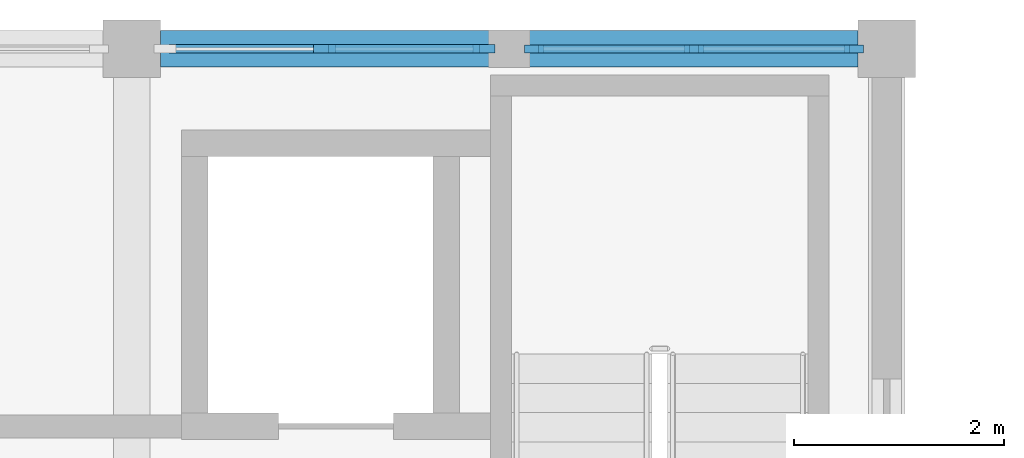
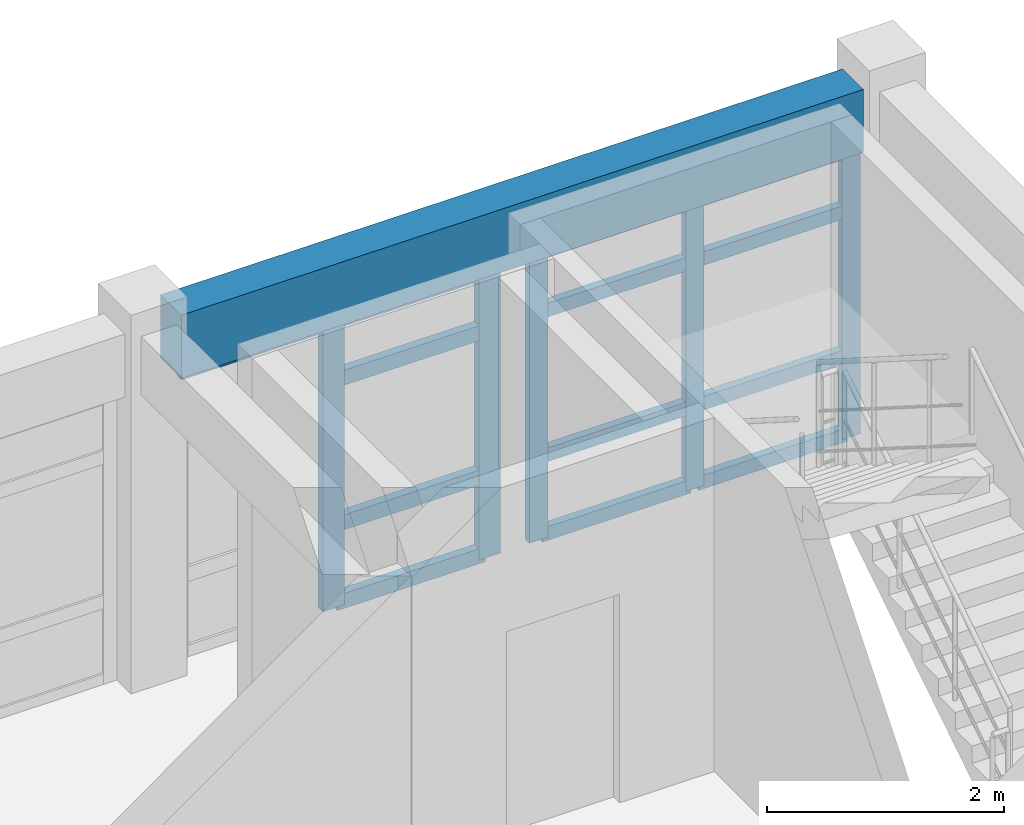
# One storey, part 8 of 22: 18 members, 1 beam, 2 elements without a shape of their own.
"""IFC4 building model written with IfcOpenShell, lengths in metres."""

from ifc_helpers import new_model, si_unit, direction, frame, origin, origin_2d, place, context, subcontext, project, spatial, rectangle, extrude, material, layer, layer_set, material_profile, profile_set, type_object, element, aggregate, save


model = new_model("IFC4")

# Units and contexts
model_context = context("Model", 3, precision=1e-05, world=origin(), true_north=direction((0.0, 1.0)))
body_context = subcontext(model_context, "Body", "Model", "MODEL_VIEW")
ifc_project = project(units=[si_unit("LENGTHUNIT", "METRE"), si_unit("AREAUNIT", "SQUARE_METRE"), si_unit("VOLUMEUNIT", "CUBIC_METRE"), si_unit("PLANEANGLEUNIT", "RADIAN"), si_unit("MASSUNIT", "GRAM", prefix="KILO")], contexts=[model_context])

# Site, building, storey
site_placement = place(None, origin())
site = spatial("IfcSite", under=ifc_project, at=site_placement, CompositionType="ELEMENT")
building_placement = place(site_placement, origin())
building = spatial("IfcBuilding", under=site, at=building_placement, Name="Koriwan Promenade Central Fire Station", CompositionType="ELEMENT")
storey_placement = place(building_placement, frame((0.0, 0.0, 17.39990234375)))
storey = spatial("IfcBuildingStorey", under=building, at=storey_placement, Name="L04", CompositionType="ELEMENT", Elevation=17.39990234375)

# Beam
ifc_material_1 = material(Name="Concrete C35/45", Category="concrete")
ifc_material_profile_1 = material_profile(ifc_material_1, rectangle(XDim=0.35009765625, YDim=0.64990234375, at=origin_2d()), Name="RC-SP-350x650")
ifc_profile_set_1 = profile_set([ifc_material_profile_1], Name="Concrete C35/45")
beam_type = type_object("IfcBeamType", Name="Beam_RC-SP-350x650", PredefinedType="SPANDREL", material=ifc_profile_set_1)
beam_placement = place(storey_placement, frame((93.875, 115.199951171875, 3.3251953125), z_axis=(1.0, 0.0, 0.0), x_axis=(0.0, 1.0, 0.0)))
element("IfcBeam", 1, at=beam_placement, inside=storey, type_object=beam_type, Name="V2 L04 girder X-184", PredefinedType="SPANDREL", context=body_context, shape_type="SweptSolid", body=[
    extrude(rectangle(XDim=0.35009765625, YDim=0.64990234375, at=origin_2d()), origin(), (0.0, 0.0, 1.0), 6.64990234375),
])

# Curtain wall, members
ifc_material_2 = material(Name="Aluminium EN AW-6063-T6 and low-E glazing", Category="aluminium")
ifc_layer_1 = layer(ifc_material_2, 0.159912109375, Name="Aluminium EN AW-6063-T6 and low-E glazing")
ifc_layer_set_1 = layer_set([ifc_layer_1], Name="Aluminium EN AW-6063-T6 and low-E glazing")
curtain_wall_type_1 = type_object("IfcCurtainWallType", Name="CurtainWall_13_312x299", PredefinedType="USERDEFINED", material=ifc_layer_set_1)
curtain_wall_1_placement = place(storey_placement, origin())
curtain_wall_1 = element("IfcCurtainWall", 2, at=curtain_wall_1_placement, inside=storey, type_object=curtain_wall_type_1, Name="V2 L04 unitised curtain wall 039", ObjectType="UNITISED CURTAIN WALL", PredefinedType="USERDEFINED")
ifc_material_3 = material(Name="Aluminium EN AW-6063-T6", Category="aluminium")
ifc_material_profile_2 = material_profile(ifc_material_3, rectangle(XDim=0.074951171875, YDim=0.179931640625, at=origin_2d()), Name="ALU-MUL-75x180")
ifc_profile_set_2 = profile_set([ifc_material_profile_2], Name="Aluminium EN AW-6063-T6")
member_type_1 = type_object("IfcMemberType", Name="CWMullion_ALU-MUL-75x180", PredefinedType="MULLION", material=ifc_profile_set_2)
member_1_placement = place(storey_placement, frame((100.487548828125, 115.199951171875, 0.0), z_axis=(0.0, 0.0, 1.0), x_axis=(0.0, -1.0, 0.0)))
member_1 = element("IfcMember", 3, at=member_1_placement, type_object=member_type_1, Name="CW-13 mullion 1", PredefinedType="MULLION", context=body_context, shape_type="SweptSolid", body=[
    extrude(rectangle(XDim=0.074951171875, YDim=0.179931640625, at=origin_2d()), origin(), (0.0, 0.0, 1.0), 2.989990234375),
])
member_2_placement = place(storey_placement, frame((98.96240234375, 115.199951171875, 0.0), z_axis=(0.0, 0.0, 1.0), x_axis=(0.0, -1.0, 0.0)))
member_2 = element("IfcMember", 4, at=member_2_placement, type_object=member_type_1, Name="CW-13 mullion 2", PredefinedType="MULLION", context=body_context, shape_type="SweptSolid", body=[
    extrude(rectangle(XDim=0.074951171875, YDim=0.179931640625, at=origin_2d()), origin(), (0.0, 0.0, 1.0), 2.989990234375),
])
member_3_placement = place(storey_placement, frame((97.4375, 115.199951171875, 0.0), z_axis=(0.0, 0.0, 1.0), x_axis=(0.0, -1.0, 0.0)))
member_3 = element("IfcMember", 5, at=member_3_placement, type_object=member_type_1, Name="CW-13 mullion 3", PredefinedType="MULLION", context=body_context, shape_type="SweptSolid", body=[
    extrude(rectangle(XDim=0.074951171875, YDim=0.179931640625, at=origin_2d()), origin(), (0.0, 0.0, 1.0), 2.989990234375),
])

ifc_layer_2 = layer(ifc_material_2, 0.159912109375, Name="Aluminium EN AW-6063-T6 and low-E glazing")
ifc_layer_set_2 = layer_set([ifc_layer_2], Name="Aluminium EN AW-6063-T6 and low-E glazing")
curtain_wall_type_2 = type_object("IfcCurtainWallType", Name="CurtainWall_14_312x299", PredefinedType="USERDEFINED", material=ifc_layer_set_2)
curtain_wall_2_placement = place(storey_placement, origin())
curtain_wall_2 = element("IfcCurtainWall", 6, at=curtain_wall_2_placement, inside=storey, type_object=curtain_wall_type_2, Name="V2 L04 unitised curtain wall 040", ObjectType="UNITISED CURTAIN WALL", PredefinedType="USERDEFINED")
ifc_material_profile_3 = material_profile(ifc_material_3, rectangle(XDim=0.080078125, YDim=0.2099609375, at=origin_2d()), Name="ALU-MUL-80x210")
ifc_profile_set_3 = profile_set([ifc_material_profile_3], Name="Aluminium EN AW-6063-T6")
member_type_2 = type_object("IfcMemberType", Name="CWMullion_ALU-MUL-80x210", PredefinedType="MULLION", material=ifc_profile_set_3)
member_4_placement = place(storey_placement, frame((96.9599609375, 115.199951171875, 0.0), z_axis=(0.0, 0.0, 1.0), x_axis=(0.0, -1.0, 0.0)))
member_4 = element("IfcMember", 7, at=member_4_placement, type_object=member_type_2, Name="CW-14 mullion 1", PredefinedType="MULLION", context=body_context, shape_type="SweptSolid", body=[
    extrude(rectangle(XDim=0.080078125, YDim=0.2099609375, at=origin_2d()), origin(), (0.0, 0.0, 1.0), 2.989990234375),
])
member_5_placement = place(storey_placement, frame((95.4375, 115.199951171875, 0.0), z_axis=(0.0, 0.0, 1.0), x_axis=(0.0, -1.0, 0.0)))
member_5 = element("IfcMember", 8, at=member_5_placement, type_object=member_type_2, Name="CW-14 mullion 2", PredefinedType="MULLION", context=body_context, shape_type="SweptSolid", body=[
    extrude(rectangle(XDim=0.080078125, YDim=0.2099609375, at=origin_2d()), origin(), (0.0, 0.0, 1.0), 2.989990234375),
])

# Member
ifc_material_profile_4 = material_profile(ifc_material_3, rectangle(XDim=0.074951171875, YDim=0.139892578125, at=origin_2d()), Name="ALU-TRN-75x140")
ifc_profile_set_4 = profile_set([ifc_material_profile_4], Name="Aluminium EN AW-6063-T6")
member_type_3 = type_object("IfcMemberType", Name="CWTransom_ALU-TRN-75x140", PredefinedType="USERDEFINED", material=ifc_profile_set_4)
member_6_placement = place(storey_placement, frame((100.449951171875, 115.199951171875, 0.03759765625), z_axis=(-1.0, 0.0, 0.0), x_axis=(0.0, -1.0, 0.0)))
member_6 = element("IfcMember", 9, at=member_6_placement, type_object=member_type_3, Name="CW-13 transom 1.1", ObjectType="TRANSOM", PredefinedType="USERDEFINED", context=body_context, shape_type="SweptSolid", body=[
    extrude(rectangle(XDim=0.074951171875, YDim=0.139892578125, at=origin_2d()), origin(), (0.0, 0.0, 1.0), 1.449951171875),
])

member_7_placement = place(storey_placement, frame((100.449951171875, 115.199951171875, 0.85009765625), z_axis=(-1.0, 0.0, 0.0), x_axis=(0.0, -1.0, 0.0)))
member_7 = element("IfcMember", 10, at=member_7_placement, type_object=member_type_3, Name="CW-13 transom 1.2", ObjectType="TRANSOM", PredefinedType="USERDEFINED", context=body_context, shape_type="SweptSolid", body=[
    extrude(rectangle(XDim=0.074951171875, YDim=0.139892578125, at=origin_2d()), origin(), (0.0, 0.0, 1.0), 1.449951171875),
])

member_8_placement = place(storey_placement, frame((100.449951171875, 115.199951171875, 2.340087890625), z_axis=(-1.0, 0.0, 0.0), x_axis=(0.0, -1.0, 0.0)))
member_8 = element("IfcMember", 11, at=member_8_placement, type_object=member_type_3, Name="CW-13 transom 1.3", ObjectType="TRANSOM", PredefinedType="USERDEFINED", context=body_context, shape_type="SweptSolid", body=[
    extrude(rectangle(XDim=0.074951171875, YDim=0.139892578125, at=origin_2d()), origin(), (0.0, 0.0, 1.0), 1.449951171875),
])

member_9_placement = place(storey_placement, frame((100.449951171875, 115.199951171875, 2.95263671875), z_axis=(-1.0, 0.0, 0.0), x_axis=(0.0, -1.0, 0.0)))
member_9 = element("IfcMember", 12, at=member_9_placement, type_object=member_type_3, Name="CW-13 transom 1.4", ObjectType="TRANSOM", PredefinedType="USERDEFINED", context=body_context, shape_type="SweptSolid", body=[
    extrude(rectangle(XDim=0.074951171875, YDim=0.139892578125, at=origin_2d()), origin(), (0.0, 0.0, 1.0), 1.449951171875),
])

member_10_placement = place(storey_placement, frame((98.925048828125, 115.199951171875, 0.03759765625), z_axis=(-1.0, 0.0, 0.0), x_axis=(0.0, -1.0, 0.0)))
member_10 = element("IfcMember", 13, at=member_10_placement, type_object=member_type_3, Name="CW-13 transom 2.1", ObjectType="TRANSOM", PredefinedType="USERDEFINED", context=body_context, shape_type="SweptSolid", body=[
    extrude(rectangle(XDim=0.074951171875, YDim=0.139892578125, at=origin_2d()), origin(), (0.0, 0.0, 1.0), 1.449951171875),
])

member_11_placement = place(storey_placement, frame((98.925048828125, 115.199951171875, 0.85009765625), z_axis=(-1.0, 0.0, 0.0), x_axis=(0.0, -1.0, 0.0)))
member_11 = element("IfcMember", 14, at=member_11_placement, type_object=member_type_3, Name="CW-13 transom 2.2", ObjectType="TRANSOM", PredefinedType="USERDEFINED", context=body_context, shape_type="SweptSolid", body=[
    extrude(rectangle(XDim=0.074951171875, YDim=0.139892578125, at=origin_2d()), origin(), (0.0, 0.0, 1.0), 1.449951171875),
])

member_12_placement = place(storey_placement, frame((98.925048828125, 115.199951171875, 2.340087890625), z_axis=(-1.0, 0.0, 0.0), x_axis=(0.0, -1.0, 0.0)))
member_12 = element("IfcMember", 15, at=member_12_placement, type_object=member_type_3, Name="CW-13 transom 2.3", ObjectType="TRANSOM", PredefinedType="USERDEFINED", context=body_context, shape_type="SweptSolid", body=[
    extrude(rectangle(XDim=0.074951171875, YDim=0.139892578125, at=origin_2d()), origin(), (0.0, 0.0, 1.0), 1.449951171875),
])

member_13_placement = place(storey_placement, frame((98.925048828125, 115.199951171875, 2.95263671875), z_axis=(-1.0, 0.0, 0.0), x_axis=(0.0, -1.0, 0.0)))
member_13 = element("IfcMember", 16, at=member_13_placement, type_object=member_type_3, Name="CW-13 transom 2.4", ObjectType="TRANSOM", PredefinedType="USERDEFINED", context=body_context, shape_type="SweptSolid", body=[
    extrude(rectangle(XDim=0.074951171875, YDim=0.139892578125, at=origin_2d()), origin(), (0.0, 0.0, 1.0), 1.449951171875),
])

aggregate(curtain_wall_1, [member_1, member_2, member_3, member_6, member_7, member_8, member_9, member_10, member_11, member_12, member_13])

ifc_material_profile_5 = material_profile(ifc_material_3, rectangle(XDim=0.080078125, YDim=0.155029296875, at=origin_2d()), Name="ALU-TRN-80x155")
ifc_profile_set_5 = profile_set([ifc_material_profile_5], Name="Aluminium EN AW-6063-T6")
member_type_4 = type_object("IfcMemberType", Name="CWTransom_ALU-TRN-80x155", PredefinedType="USERDEFINED", material=ifc_profile_set_5)
member_14_placement = place(storey_placement, frame((96.919921875, 115.199951171875, 0.0400390625), z_axis=(-1.0, 0.0, 0.0), x_axis=(0.0, -1.0, 0.0)))
member_14 = element("IfcMember", 17, at=member_14_placement, type_object=member_type_4, Name="CW-14 transom 1.1", ObjectType="TRANSOM", PredefinedType="USERDEFINED", context=body_context, shape_type="SweptSolid", body=[
    extrude(rectangle(XDim=0.080078125, YDim=0.155029296875, at=origin_2d()), origin(), (0.0, 0.0, 1.0), 1.4423828125),
])

member_15_placement = place(storey_placement, frame((96.919921875, 115.199951171875, 0.85009765625), z_axis=(-1.0, 0.0, 0.0), x_axis=(0.0, -1.0, 0.0)))
member_15 = element("IfcMember", 18, at=member_15_placement, type_object=member_type_4, Name="CW-14 transom 1.2", ObjectType="TRANSOM", PredefinedType="USERDEFINED", context=body_context, shape_type="SweptSolid", body=[
    extrude(rectangle(XDim=0.080078125, YDim=0.155029296875, at=origin_2d()), origin(), (0.0, 0.0, 1.0), 1.4423828125),
])

member_16_placement = place(storey_placement, frame((96.919921875, 115.199951171875, 2.340087890625), z_axis=(-1.0, 0.0, 0.0), x_axis=(0.0, -1.0, 0.0)))
member_16 = element("IfcMember", 19, at=member_16_placement, type_object=member_type_4, Name="CW-14 transom 1.3", ObjectType="TRANSOM", PredefinedType="USERDEFINED", context=body_context, shape_type="SweptSolid", body=[
    extrude(rectangle(XDim=0.080078125, YDim=0.155029296875, at=origin_2d()), origin(), (0.0, 0.0, 1.0), 1.4423828125),
])

member_17_placement = place(storey_placement, frame((96.919921875, 115.199951171875, 2.9501953125), z_axis=(-1.0, 0.0, 0.0), x_axis=(0.0, -1.0, 0.0)))
member_17 = element("IfcMember", 20, at=member_17_placement, type_object=member_type_4, Name="CW-14 transom 1.4", ObjectType="TRANSOM", PredefinedType="USERDEFINED", context=body_context, shape_type="SweptSolid", body=[
    extrude(rectangle(XDim=0.080078125, YDim=0.155029296875, at=origin_2d()), origin(), (0.0, 0.0, 1.0), 1.4423828125),
])

member_18_placement = place(storey_placement, frame((95.3974609375, 115.199951171875, 2.9501953125), z_axis=(-1.0, 0.0, 0.0), x_axis=(0.0, -1.0, 0.0)))
member_18 = element("IfcMember", 21, at=member_18_placement, type_object=member_type_4, Name="CW-14 transom 2.4", ObjectType="TRANSOM", PredefinedType="USERDEFINED", context=body_context, shape_type="SweptSolid", body=[
    extrude(rectangle(XDim=0.080078125, YDim=0.155029296875, at=origin_2d()), origin(), (0.0, 0.0, 1.0), 1.4423828125),
])

aggregate(curtain_wall_2, [member_4, member_5, member_14, member_15, member_16, member_17, member_18])

save(model, "model.ifc")
